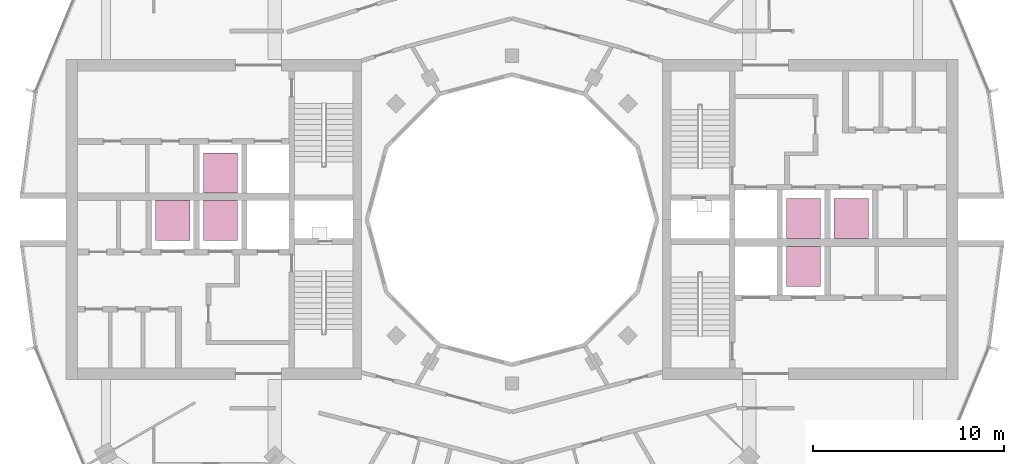
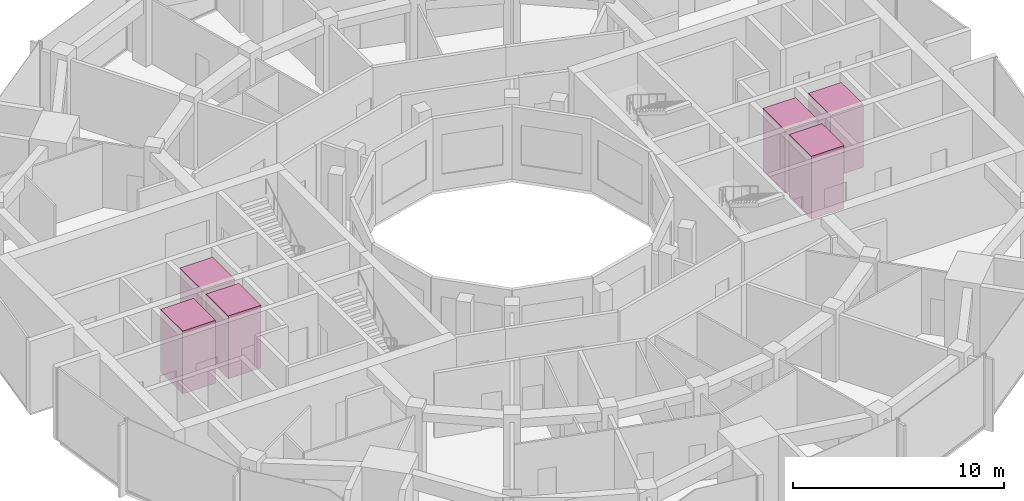
# One storey, part 15 of 15: 6 transport elements.
"""IFC4 building model written with IfcOpenShell, lengths in metres."""

from ifc_helpers import new_model, si_unit, direction, frame, origin, origin_2d, place, context, subcontext, project, spatial, rectangle, extrude, material, type_object, element, save


model = new_model("IFC4")

# Units and contexts
model_context = context("Model", 3, precision=1e-05, world=origin(), true_north=direction((0.0, 1.0)))
body_context = subcontext(model_context, "Body", "Model", "MODEL_VIEW")
ifc_project = project(units=[si_unit("LENGTHUNIT", "METRE"), si_unit("AREAUNIT", "SQUARE_METRE"), si_unit("VOLUMEUNIT", "CUBIC_METRE"), si_unit("PLANEANGLEUNIT", "RADIAN"), si_unit("MASSUNIT", "GRAM", prefix="KILO")], contexts=[model_context])

# Site, building, storey
site_placement = place(None, origin())
site = spatial("IfcSite", under=ifc_project, at=site_placement, CompositionType="ELEMENT")
building_placement = place(site_placement, origin())
building = spatial("IfcBuilding", under=site, at=building_placement, Name="Torre Brocal", CompositionType="ELEMENT")
storey_placement = place(building_placement, frame((0.0, 0.0, 212.5)))
storey = spatial("IfcBuildingStorey", under=building, at=storey_placement, Name="L49", CompositionType="ELEMENT", Elevation=212.5)

# Transport elements
ifc_material = material(Name="Stainless steel AISI 316", Category="steel")
transport_element_type = type_object("IfcTransportElementType", Name="PASSENGER LIFT", PredefinedType="ELEVATOR", material=ifc_material)
for number, where, z_axis, x_axis, name in (
    (1, (95.300048828125, 75.050048828125, 0.0), (0.0, 0.0, 1.0), (1.0, 0.0, 0.0), "HIGH RISE LIFT E-HR1"),
    (2, (95.300048828125, 72.550048828125, 0.0), (0.0, 0.0, 1.0), (1.0, 0.0, 0.0), "HIGH RISE LIFT E-HR2"),
    (3, (97.800048828125, 75.050048828125, 0.0), (0.0, 0.0, 1.0), (1.0, 0.0, 0.0), "HIGH RISE LIFT E-HR3"),
    (4, (64.699951171875, 74.949951171875, 0.0), (0.0, 0.0, 1.0), (1.0, 0.0, 0.0), "HIGH RISE LIFT W-HR1"),
    (5, (64.699951171875, 77.449951171875, 0.0), (0.0, 0.0, 1.0), (1.0, 0.0, 0.0), "HIGH RISE LIFT W-HR2"),
    (6, (62.199951171875, 74.949951171875, 0.0), (0.0, 0.0, 1.0), (1.0, 0.0, 0.0), "HIGH RISE LIFT W-HR3"),
):
    element("IfcTransportElement", number, at=place(storey_placement, frame(where, z_axis=z_axis, x_axis=x_axis)), inside=storey, type_object=transport_element_type, Name=name, PredefinedType="ELEVATOR", context=body_context, shape_type="SweptSolid", body=[
        extrude(rectangle(XDim=1.800048828125, YDim=2.10009765625, at=origin_2d()), origin(), (0.0, 0.0, 1.0), 3.64990234375),
    ])

save(model, "model.ifc")
